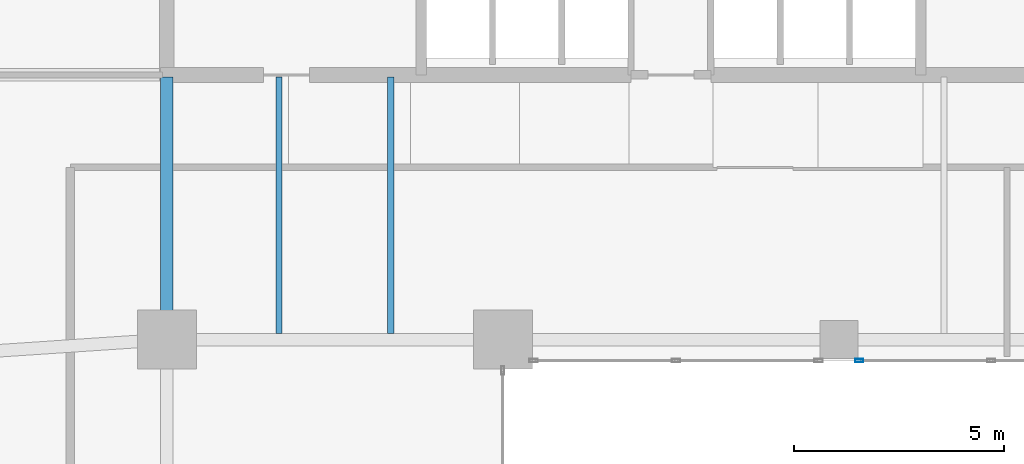
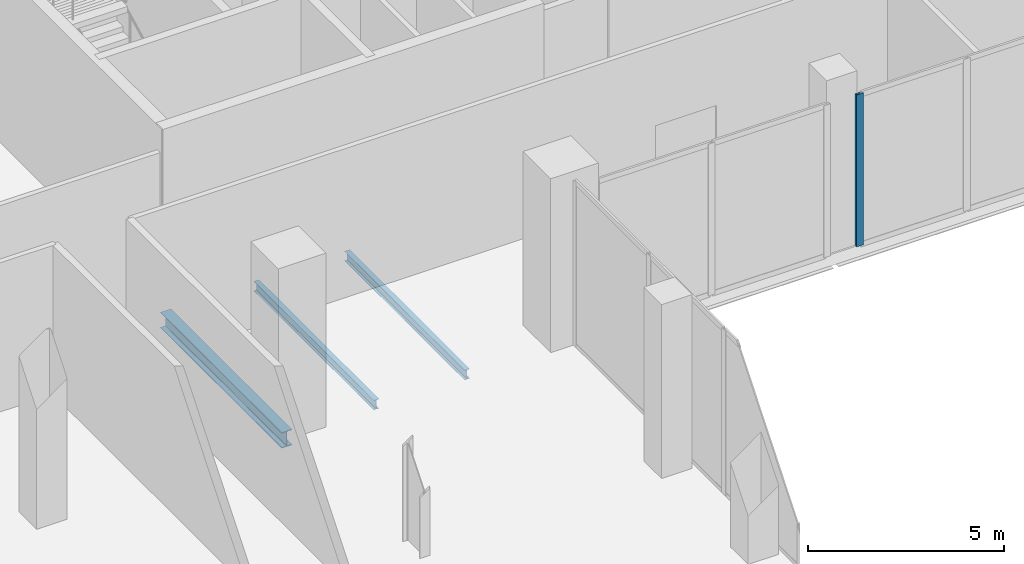
# One storey, part 10 of 24: 3 beams, 1 member, 1 element without a shape of its own.
"""IFC4 building model written with IfcOpenShell, lengths in metres."""

import ifcopenshell
import ifcopenshell.guid

model = None  # the IFC model being written
_history = None  # IfcOwnerHistory: only IFC2X3 demands one
_inside = {}  # id of a spatial element -> (the spatial element, [elements in it])
_under = {}  # id of a project, library or spatial element -> (it, [spatial elements below it])
_declared = {}  # id of a project -> (the project, [libraries it declares])
_typed = {}  # id of a type object -> (the type object, [elements of that type])
_made_of = {}  # id of a material, layer set ... -> (it, [elements and type objects made of it])


def new_model(schema):
    """Start an empty IFC model of exactly this schema.

    Asked for "IFC4X3", IfcOpenShell would pick the latest addendum, in which some entities
    have other attributes; the version numbers below select the first issue.
    IFC2X3 requires an IfcOwnerHistory on every rooted entity: one is made here for all.
    """
    global model, _history
    if schema == "IFC4X3":
        model = ifcopenshell.file(schema_version=(4, 3, 0, 0))
    else:
        model = ifcopenshell.file(schema=schema)
    _inside.clear()
    _under.clear()
    _declared.clear()
    _typed.clear()
    _made_of.clear()
    _history = None
    if model.schema == "IFC2X3":
        org = make("IfcOrganization", Name="unknown")
        user = make(
            "IfcPersonAndOrganization",
            ThePerson=make("IfcPerson", FamilyName="unknown"),
            TheOrganization=org,
        )
        app = make(
            "IfcApplication",
            ApplicationDeveloper=org,
            Version="unknown",
            ApplicationFullName="unknown",
            ApplicationIdentifier="unknown",
        )
        _history = make(
            "IfcOwnerHistory",
            OwningUser=user,
            OwningApplication=app,
            ChangeAction="ADDED",
            CreationDate=0,
        )
    return model


def make(cls, **values):
    """One entity of the class cls with the attributes given. An attribute that is None is left unset."""
    return model.create_entity(
        cls, **{name: value for name, value in values.items() if value is not None}
    )


def rooted(cls, **values):
    """An entity with a GlobalId (a new one), such as an element, a storey or a relation."""
    return make(cls, GlobalId=ifcopenshell.guid.new(), OwnerHistory=_history, **values)


def si_unit(unit_type, name, prefix=None):
    """IfcSIUnit, for example si_unit("LENGTHUNIT", "METRE", prefix="MILLI")."""
    return make("IfcSIUnit", UnitType=unit_type, Prefix=prefix, Name=name)


def assignment(units):
    """IfcUnitAssignment: the units of a project."""
    return None if units is None else make("IfcUnitAssignment", Units=units)


def point(xyz):
    """IfcCartesianPoint."""
    return None if xyz is None else make("IfcCartesianPoint", Coordinates=xyz)


def direction(xyz):
    """IfcDirection."""
    return None if xyz is None else make("IfcDirection", DirectionRatios=xyz)


def frame(location, z_axis=None, x_axis=None):
    """IfcAxis2Placement3D, a coordinate frame: its origin and axes. An axis left out is left unset."""
    return make(
        "IfcAxis2Placement3D",
        Location=point(location),
        Axis=direction(z_axis),
        RefDirection=direction(x_axis),
    )


def frame_2d(location, x_axis=None):
    """IfcAxis2Placement2D, a coordinate frame in the plane: its origin and x axis."""
    return make(
        "IfcAxis2Placement2D", Location=point(location), RefDirection=direction(x_axis)
    )


def origin():
    """The frame at (0, 0, 0) with its axes left unset."""
    return frame((0.0, 0.0, 0.0))


def origin_2d():
    """The frame at (0, 0) in the plane with its x axis left unset."""
    return frame_2d((0.0, 0.0))


def place(relative_to, where):
    """IfcLocalPlacement: puts the frame where relative to a parent placement (None: the world)."""
    return make(
        "IfcLocalPlacement", PlacementRelTo=relative_to, RelativePlacement=where
    )


def context(
    kind, dimensions, precision=None, world=None, true_north=None, identifier=None
):
    """IfcGeometricRepresentationContext, for example the 3D "Model" context."""
    return make(
        "IfcGeometricRepresentationContext",
        ContextIdentifier=identifier,
        ContextType=kind,
        CoordinateSpaceDimension=dimensions,
        Precision=precision,
        WorldCoordinateSystem=world,
        TrueNorth=true_north,
    )


def subcontext(parent, identifier, kind, view, scale=None):
    """IfcGeometricRepresentationSubContext, for example "Body" below "Model"."""
    return make(
        "IfcGeometricRepresentationSubContext",
        ContextIdentifier=identifier,
        ContextType=kind,
        ParentContext=parent,
        TargetScale=scale,
        TargetView=view,
    )


def project(units=None, contexts=None):
    """IfcProject with its units and contexts."""
    return rooted(
        "IfcProject",
        Name="project",
        RepresentationContexts=contexts,
        UnitsInContext=assignment(units),
    )


def spatial(cls, under=None, at=None, **own):
    """A site, building, storey or space (cls), placed at a placement, below another one or the project."""
    s = rooted(cls, ObjectPlacement=at, **own)
    if under is not None:
        _under.setdefault(under.id(), (under, []))[1].append(s)
    return s


def profile(cls, at=None, kind="AREA", **sizes):
    """A parametric profile (cls). Its sizes go by their IFC names, for example OverallWidth=200.0."""
    return make(cls, ProfileType=kind, Position=at, **sizes)


def hollow_rectangle(**sizes):
    """IfcRectangleHollowProfileDef."""
    return profile("IfcRectangleHollowProfileDef", **sizes)


def i_section(**sizes):
    """IfcIShapeProfileDef."""
    return profile("IfcIShapeProfileDef", **sizes)


def extrude(swept, where, along, depth):
    """IfcExtrudedAreaSolid: the profile swept, set in the frame where, extruded along a direction by depth."""
    return make(
        "IfcExtrudedAreaSolid",
        SweptArea=swept,
        Position=where,
        ExtrudedDirection=direction(along),
        Depth=depth,
    )


def shape(context_of_items, identifier, shape_type, items):
    """IfcShapeRepresentation: the items that make up one representation, for example the "Body"."""
    return make(
        "IfcShapeRepresentation",
        ContextOfItems=context_of_items,
        RepresentationIdentifier=identifier,
        RepresentationType=shape_type,
        Items=items,
    )


def material(Name=None, Category=None):
    """IfcMaterial."""
    return make("IfcMaterial", Name=Name, Category=Category)


def layer(
    of_material, thickness, ventilated=None, Name=None, Category=None, Priority=None
):
    """IfcMaterialLayer: one layer of a wall or slab, of a material (None: an air gap)."""
    return make(
        "IfcMaterialLayer",
        Material=of_material,
        LayerThickness=thickness,
        IsVentilated=ventilated,
        Name=Name,
        Category=Category,
        Priority=Priority,
    )


def layer_set(layers, Name=None):
    """IfcMaterialLayerSet."""
    return make("IfcMaterialLayerSet", MaterialLayers=layers, LayerSetName=Name)


def material_profile(
    of_material, cross_section, Name=None, Category=None, Priority=None
):
    """IfcMaterialProfile: a cross section and its material."""
    return make(
        "IfcMaterialProfile",
        Name=Name,
        Material=of_material,
        Profile=cross_section,
        Priority=Priority,
        Category=Category,
    )


def profile_set(profiles, Name=None, composite=None):
    """IfcMaterialProfileSet."""
    return make(
        "IfcMaterialProfileSet",
        Name=Name,
        MaterialProfiles=profiles,
        CompositeProfile=composite,
    )


def made_of(thing, what):
    """Note that an element or type object is made of a material, layer set ...; save() writes the relation."""
    if what is not None:
        _made_of.setdefault(what.id(), (what, []))[1].append(thing)
    return thing


def type_object(cls, material=None, **own):
    """A type object (cls), such as IfcWallType, which elements share."""
    return made_of(rooted(cls, **own), material)


def element(
    cls,
    number,
    at=None,
    inside=None,
    cuts=None,
    type_object=None,
    material=None,
    context=None,
    identifier="Body",
    shape_type=None,
    held_by="IfcProductDefinitionShape",
    body=None,
    shapes=None,
    **own,
):
    """One element of the class cls, such as IfcWall. Its Tag is "e" and its number.

    at: its placement. inside: the storey or other place that contains it. cuts: it is an
    opening in that element (IfcRelVoidsElement). A single representation is given by context,
    identifier, shape_type and body (its items); several are given by shapes. held_by: the class
    of the entity that holds the representations. save() writes the other relations.
    """
    e = rooted(cls, Tag="e%d" % number, ObjectPlacement=at, **own)
    if body is not None:
        shapes = [shape(context, identifier, shape_type, body)]
    if shapes is not None:
        e.Representation = make(held_by, Representations=shapes)
    if inside is not None:
        _inside.setdefault(inside.id(), (inside, []))[1].append(e)
    if cuts is not None:
        rooted(
            "IfcRelVoidsElement", RelatingBuildingElement=cuts, RelatedOpeningElement=e
        )
    if type_object is not None:
        _typed.setdefault(type_object.id(), (type_object, []))[1].append(e)
    return made_of(e, material)


def aggregate(whole, parts):
    """IfcRelAggregates: a whole, such as a stair, and the parts it consists of."""
    return rooted("IfcRelAggregates", RelatingObject=whole, RelatedObjects=parts)


def save(model, path):
    """Write the relations noted so far, then the file.

    IfcRelAggregates (storeys below a building ...), IfcRelContainedInSpatialStructure (elements
    in a storey), IfcRelDefinesByType, IfcRelAssociatesMaterial and IfcRelDeclares: one each for
    every whole, place, type object, material and project.
    """
    for whole, parts in _under.values():
        aggregate(whole, parts)
    for where, things in _inside.values():
        rooted(
            "IfcRelContainedInSpatialStructure",
            RelatedElements=things,
            RelatingStructure=where,
        )
    for kind, things in _typed.values():
        rooted("IfcRelDefinesByType", RelatedObjects=things, RelatingType=kind)
    for what, things in _made_of.values():
        rooted("IfcRelAssociatesMaterial", RelatedObjects=things, RelatingMaterial=what)
    for by, libraries in _declared.values():
        rooted("IfcRelDeclares", RelatingContext=by, RelatedDefinitions=libraries)
    model.write(path)


model = new_model("IFC4")

# Units and contexts
model_context = context("Model", 3, precision=1e-05, world=origin(), true_north=direction((0.0, 1.0)))
body_context = subcontext(model_context, "Body", "Model", "MODEL_VIEW")
ifc_project = project(units=[si_unit("LENGTHUNIT", "METRE"), si_unit("AREAUNIT", "SQUARE_METRE"), si_unit("VOLUMEUNIT", "CUBIC_METRE"), si_unit("PLANEANGLEUNIT", "RADIAN"), si_unit("MASSUNIT", "GRAM", prefix="KILO")], contexts=[model_context])

# Site, building, storey
site_placement = place(None, origin())
site = spatial("IfcSite", under=ifc_project, at=site_placement, CompositionType="ELEMENT")
building_placement = place(site_placement, origin())
building = spatial("IfcBuilding", under=site, at=building_placement, Name="Catumbela Crestline Tower", CompositionType="ELEMENT")
storey_placement = place(building_placement, frame((0.0, 0.0, 84.6)))
storey = spatial("IfcBuildingStorey", under=building, at=storey_placement, Name="L21", CompositionType="ELEMENT", Elevation=84.6)

# Beams
ifc_material_1 = material(Name="Structural steel S355J2", Category="steel")
ifc_material_profile_1 = material_profile(ifc_material_1, i_section(OverallWidth=0.3, OverallDepth=0.49, WebThickness=0.012, FlangeThickness=0.023, FilletRadius=0.027, at=origin_2d()), Name="HEA 500")
ifc_profile_set_1 = profile_set([ifc_material_profile_1], Name="Structural steel S355J2")
beam_type_1 = type_object("IfcBeamType", Name="BG-HEA500", PredefinedType="BEAM", material=ifc_profile_set_1)
beam_placement = place(storey_placement, frame((16.0, 24.58, -0.595), z_axis=(0.0, 1.0, 0.0), x_axis=(-1.0, 0.0, 0.0)))
element("IfcBeam", 1, at=beam_placement, inside=storey, type_object=beam_type_1, Name="L21 Beam BM-L21-SNS28", PredefinedType="BEAM", context=body_context, shape_type="SweptSolid", body=[
    extrude(i_section(OverallWidth=0.3, OverallDepth=0.49, WebThickness=0.012, FlangeThickness=0.023, FilletRadius=0.027, at=origin_2d()), origin(), (0.0, 0.0, 1.0), 6.17),
])
ifc_material_profile_2 = material_profile(ifc_material_1, i_section(OverallWidth=0.15, OverallDepth=0.3, WebThickness=0.0071, FlangeThickness=0.0107, FilletRadius=0.015, at=origin_2d()), Name="IPE 300")
ifc_profile_set_2 = profile_set([ifc_material_profile_2], Name="Structural steel S355J2")
beam_type_2 = type_object("IfcBeamType", Name="BJ-IPE300", PredefinedType="JOIST", material=ifc_profile_set_2)
for number, where, z_axis, x_axis, name in (
    (2, (18.667, 24.647, -0.5), (0.0, 1.0, 0.0), (-1.0, 0.0, 0.0), "L21 Joist JS-L21-SP37"),
    (3, (21.333, 24.647, -0.5), (0.0, 1.0, 0.0), (-1.0, 0.0, 0.0), "L21 Joist JS-L21-SP38"),
):
    element("IfcBeam", number, at=place(storey_placement, frame(where, z_axis=z_axis, x_axis=x_axis)), inside=storey, type_object=beam_type_2, Name=name, PredefinedType="JOIST", context=body_context, shape_type="SweptSolid", body=[
        extrude(i_section(OverallWidth=0.15, OverallDepth=0.3, WebThickness=0.0071, FlangeThickness=0.0107, FilletRadius=0.015, at=origin_2d()), origin(), (0.0, 0.0, 1.0), 6.103),
    ])

# Curtain wall, member
ifc_material_2 = material(Name="Aluminium alloy AW-6060-T66", Category="aluminium")
ifc_layer = layer(ifc_material_2, 0.18, Name="Aluminium alloy AW-6060-T66")
ifc_layer_set = layer_set([ifc_layer], Name="Aluminium alloy AW-6060-T66")
curtain_wall_type = type_object("IfcCurtainWallType", Name="CWU-SKY", PredefinedType="USERDEFINED", material=ifc_layer_set)
curtain_wall_placement = place(storey_placement, origin())
curtain_wall = element("IfcCurtainWall", 4, at=curtain_wall_placement, inside=storey, type_object=curtain_wall_type, Name="L21 Unitised Curtain Wall CW-L21-E3S2", ObjectType="UNITISED", PredefinedType="USERDEFINED")
ifc_material_profile_3 = material_profile(ifc_material_2, hollow_rectangle(XDim=0.075, YDim=0.2, WallThickness=0.005, at=origin_2d()), Name="ALU 200x75x5")
ifc_profile_set_3 = profile_set([ifc_material_profile_3], Name="Aluminium alloy AW-6060-T66")
member_type = type_object("IfcMemberType", Name="MUL-200X75", PredefinedType="MULLION", material=ifc_profile_set_3)
member_placement = place(storey_placement, frame((32.4825, 24.0, 0.0), z_axis=(0.0, 0.0, 1.0), x_axis=(0.0, 1.0, 0.0)))
member = element("IfcMember", 5, at=member_placement, type_object=member_type, Name="CWU-SKY mullion 1", PredefinedType="MULLION", context=body_context, shape_type="SweptSolid", body=[
    extrude(hollow_rectangle(XDim=0.075, YDim=0.2, WallThickness=0.005, at=origin_2d()), origin(), (0.0, 0.0, 1.0), 4.72),
])
aggregate(curtain_wall, [member])

save(model, "model.ifc")
